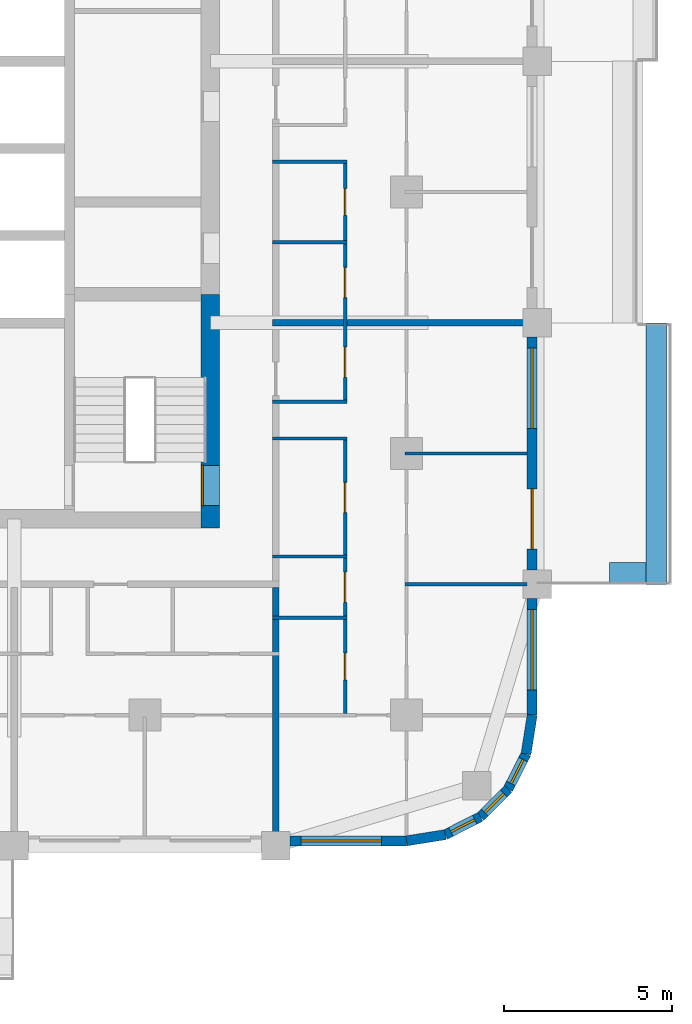
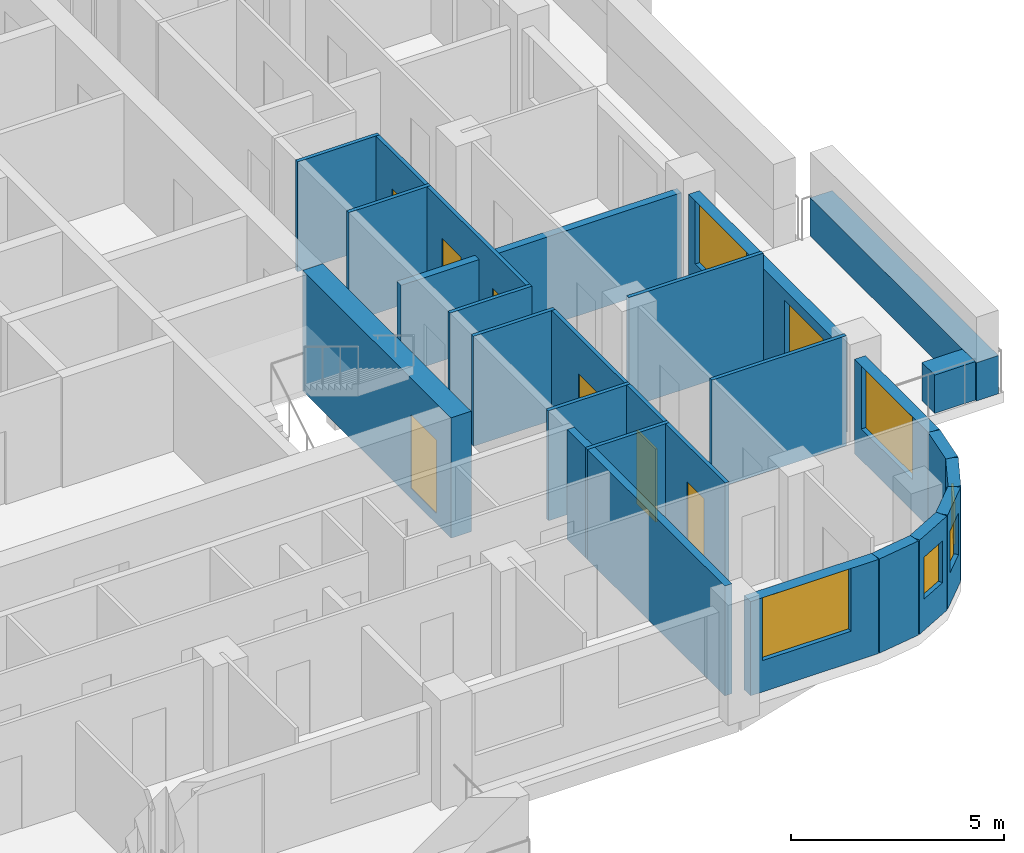
# One storey, part 6 of 14: 23 walls, 8 doors, 6 windows, 14 openings.
"""IFC4 building model written with IfcOpenShell, lengths in metres."""

from ifc_helpers import new_model, si_unit, direction, frame, frame_2d, origin, place, context, subcontext, project, spatial, rectangle, extrude, material, layer, layer_set, type_object, element, fill, save


model = new_model("IFC4")

# Units and contexts
model_context = context("Model", 3, precision=1e-05, world=origin(), true_north=direction((0.0, 1.0)))
body_context = subcontext(model_context, "Body", "Model", "MODEL_VIEW")
ifc_project = project(units=[si_unit("LENGTHUNIT", "METRE"), si_unit("AREAUNIT", "SQUARE_METRE"), si_unit("VOLUMEUNIT", "CUBIC_METRE"), si_unit("PLANEANGLEUNIT", "RADIAN"), si_unit("MASSUNIT", "GRAM", prefix="KILO")], contexts=[model_context])

# Site, building, storey
site_placement = place(None, origin())
site = spatial("IfcSite", under=ifc_project, at=site_placement, CompositionType="ELEMENT")
building_placement = place(site_placement, origin())
building = spatial("IfcBuilding", under=site, at=building_placement, Name="Ludao Terraces", CompositionType="ELEMENT")
storey_placement = place(building_placement, frame((0.0, 0.0, 99.89990234375)))
storey = spatial("IfcBuildingStorey", under=building, at=storey_placement, Name="L27", CompositionType="ELEMENT", Elevation=99.89990234375)

# Wall, opening, door
ifc_material_1 = material(Name="Concrete C60", Category="concrete")
ifc_layer_1 = layer(ifc_material_1, 0.550048828125)
ifc_layer_set_1 = layer_set([ifc_layer_1], Name="Core wall 550 C60")
wall_type_1 = type_object("IfcWallType", Name="Core wall 550 C60", PredefinedType="SOLIDWALL", material=ifc_layer_set_1)
wall_1_placement = place(storey_placement, frame((94.75, 54.97509765625, -0.2998046875), z_axis=(0.0, 0.0, 1.0), x_axis=(0.0, 1.0, 0.0)))
wall_1 = element("IfcWall", 1, at=wall_1_placement, inside=storey, type_object=wall_type_1, Name="Core wall L27 outer-E-S3", PredefinedType="SOLIDWALL", context=body_context, shape_type="SweptSolid", body=[
    extrude(rectangle(XDim=6.974853515625, YDim=0.550048828125, at=frame_2d((3.4873046875, 0.0))), origin(), (0.0, 0.0, 1.0), 3.449951171875),
])
opening_1_placement = place(wall_1_placement, frame((0.675048828125, 0.0, 0.300048828125)))
opening_1 = element("IfcOpeningElement", 2, at=opening_1_placement, cuts=wall_1, Name="Opening R08-034", PredefinedType="OPENING", context=body_context, shape_type="SweptSolid", body=[
    extrude(rectangle(XDim=1.199951171875, YDim=2.10009765625, at=frame_2d((0.60009765625, 1.050048828125))), frame((0.0, 0.28515625, 0.0), z_axis=(0.0, -1.0, 0.0), x_axis=(1.0, 0.0, 0.0)), (0.0, 0.0, 1.0), 0.570068359375),
])
ifc_material_2 = material(Name="Steel Q235", Category="steel")
door_type_1 = type_object("IfcDoorType", Name="INT Stair door 1200", OperationType="DOUBLE_DOOR_SINGLE_SWING", PredefinedType="DOOR", material=ifc_material_2)
door_1_placement = place(opening_1_placement, origin())
door_1 = element("IfcDoor", 3, at=door_1_placement, inside=storey, type_object=door_type_1, Name="DOOR 034", OperationType="DOUBLE_DOOR_SINGLE_SWING", OverallHeight=2.10009765625, OverallWidth=1.199951171875, PredefinedType="DOOR", context=body_context, shape_type="SweptSolid", body=[
    extrude(rectangle(XDim=1.199951171875, YDim=2.10009765625, at=frame_2d((0.60009765625, 1.050048828125))), frame((0.0, 0.26025390625, 0.0), z_axis=(0.0, -1.0, 0.0), x_axis=(1.0, 0.0, 0.0)), (0.0, 0.0, 1.0), 0.050048828125),
])
fill(opening_1, door_1)

# Walls
ifc_material_3 = material(Name="Concrete C40", Category="concrete")
ifc_layer_2 = layer(ifc_material_3, 0.60009765625)
ifc_layer_set_2 = layer_set([ifc_layer_2], Name="ENV Planter trough 600")
wall_type_2 = type_object("IfcWallType", Name="ENV Planter trough 600", PredefinedType="USERDEFINED", material=ifc_layer_set_2)
wall_2_placement = place(storey_placement, frame((108.050048828125, 53.300048828125, 0.0), z_axis=(0.0, 0.0, 1.0), x_axis=(0.0, 1.0, 0.0)))
element("IfcWall", 4, at=wall_2_placement, inside=storey, type_object=wall_type_2, Name="PL-L27-E1", ObjectType="PLANTER", PredefinedType="USERDEFINED", context=body_context, shape_type="SweptSolid", body=[
    extrude(rectangle(XDim=7.800048828125, YDim=0.60009765625, at=frame_2d((3.89990234375, 0.0))), origin(), (0.0, 0.0, 1.0), 1.10009765625),
])
wall_3_placement = place(storey_placement, frame((107.75, 53.64990234375, 0.0), z_axis=(0.0, 0.0, 1.0), x_axis=(-1.0, 0.0, 0.0)))
element("IfcWall", 5, at=wall_3_placement, inside=storey, type_object=wall_type_2, Name="PL-L27-E1-SA", ObjectType="PLANTER", PredefinedType="USERDEFINED", context=body_context, shape_type="SweptSolid", body=[
    extrude(rectangle(XDim=1.10009765625, YDim=0.60009765625, at=frame_2d((0.550048828125, 0.0))), origin(), (0.0, 0.0, 1.0), 1.10009765625),
])

# Wall, opening, window
ifc_material_4 = material(Name="Granite cladding", Category="masonry")
ifc_layer_3 = layer(ifc_material_4, 0.0400390625, Category="stone")
ifc_material_5 = material(Name="Mineral wool")
ifc_layer_4 = layer(ifc_material_5, 0.06005859375)
ifc_layer_5 = layer(ifc_material_3, 0.199951171875, Category="concrete")
ifc_layer_set_3 = layer_set([ifc_layer_3, ifc_layer_4, ifc_layer_5], Name="ENV Stone-clad wall 300")
wall_type_3 = type_object("IfcWallType", Name="ENV Stone-clad wall 300", PredefinedType="SOLIDWALL", material=ifc_layer_set_3)
wall_4_placement = place(storey_placement, frame((97.125, 45.64990234375, 0.0), z_axis=(0.0, 0.0, 1.0), x_axis=(1.0, 0.0, 0.0)))
wall_4 = element("IfcWall", 6, at=wall_4_placement, inside=storey, type_object=wall_type_3, Name="EW-L27-S5", PredefinedType="SOLIDWALL", context=body_context, shape_type="SweptSolid", body=[
    extrude(rectangle(XDim=3.47509765625, YDim=0.300048828125, at=frame_2d((1.737548828125, 0.0))), origin(), (0.0, 0.0, 1.0), 2.7001953125),
])
opening_2_placement = place(wall_4_placement, frame((0.324951171875, 0.0, 0.89990234375)))
opening_2 = element("IfcOpeningElement", 7, at=opening_2_placement, cuts=wall_4, Name="Opening W1", PredefinedType="OPENING", context=body_context, shape_type="SweptSolid", body=[
    extrude(rectangle(XDim=2.39990234375, YDim=1.800048828125, at=frame_2d((1.199951171875, 0.89990234375))), frame((0.0, 0.16015625, 0.0), z_axis=(0.0, -1.0, 0.0), x_axis=(1.0, 0.0, 0.0)), (0.0, 0.0, 1.0), 0.320068359375),
])
ifc_material_6 = material(Name="Clear glass in aluminium frame", Category="aluminium")
ifc_layer_6 = layer(ifc_material_6, 0.06005859375)
ifc_layer_set_4 = layer_set([ifc_layer_6], Name="ENV Window W1 2400x1800")
window_type_1 = type_object("IfcWindowType", Name="ENV Window W1 2400x1800", PartitioningType="DOUBLE_PANEL_VERTICAL", PredefinedType="WINDOW", material=ifc_layer_set_4)
window_1_placement = place(opening_2_placement, origin())
window_1 = element("IfcWindow", 8, at=window_1_placement, inside=storey, type_object=window_type_1, Name="W-L27-S5-1", OverallHeight=1.800048828125, OverallWidth=2.39990234375, PartitioningType="DOUBLE_PANEL_VERTICAL", PredefinedType="WINDOW", context=body_context, shape_type="SweptSolid", body=[
    extrude(rectangle(XDim=2.39990234375, YDim=1.800048828125, at=frame_2d((1.199951171875, 0.89990234375))), frame((0.0, 0.030029296875, 0.0), z_axis=(0.0, -1.0, 0.0), x_axis=(1.0, 0.0, 0.0)), (0.0, 0.0, 1.0), 0.06005859375),
])
fill(opening_2, window_1)

wall_5_placement = place(storey_placement, frame((104.35009765625, 49.39990234375, 0.0), z_axis=(0.0, 0.0, 1.0), x_axis=(0.0, 1.0, 0.0)))
wall_5 = element("IfcWall", 9, at=wall_5_placement, inside=storey, type_object=wall_type_3, Name="EW-L27-E1", PredefinedType="SOLIDWALL", context=body_context, shape_type="SweptSolid", body=[
    extrude(rectangle(XDim=3.47509765625, YDim=0.300048828125, at=frame_2d((1.737548828125, 0.0))), origin(), (0.0, 0.0, 1.0), 2.7001953125),
])
opening_3_placement = place(wall_5_placement, frame((0.75, 0.0, 0.89990234375)))
opening_3 = element("IfcOpeningElement", 10, at=opening_3_placement, cuts=wall_5, Name="Opening W1", PredefinedType="OPENING", context=body_context, shape_type="SweptSolid", body=[
    extrude(rectangle(XDim=2.39990234375, YDim=1.800048828125, at=frame_2d((1.199951171875, 0.89990234375))), frame((0.0, 0.16015625, 0.0), z_axis=(0.0, -1.0, 0.0), x_axis=(1.0, 0.0, 0.0)), (0.0, 0.0, 1.0), 0.320068359375),
])
window_2_placement = place(opening_3_placement, origin())
window_2 = element("IfcWindow", 11, at=window_2_placement, inside=storey, type_object=window_type_1, Name="W-L27-E1-1", OverallHeight=1.800048828125, OverallWidth=2.39990234375, PartitioningType="DOUBLE_PANEL_VERTICAL", PredefinedType="WINDOW", context=body_context, shape_type="SweptSolid", body=[
    extrude(rectangle(XDim=2.39990234375, YDim=1.800048828125, at=frame_2d((1.199951171875, 0.89990234375))), frame((0.0, 0.030029296875, 0.0), z_axis=(0.0, -1.0, 0.0), x_axis=(1.0, 0.0, 0.0)), (0.0, 0.0, 1.0), 0.06005859375),
])
fill(opening_3, window_2)

# Wall, openings, door, window
wall_6_placement = place(storey_placement, frame((104.35009765625, 53.72509765625, 0.0), z_axis=(0.0, 0.0, 1.0), x_axis=(0.0, 1.0, 0.0)))
wall_6 = element("IfcWall", 12, at=wall_6_placement, inside=storey, type_object=wall_type_3, Name="EW-L27-E2", PredefinedType="SOLIDWALL", context=body_context, shape_type="SweptSolid", body=[
    extrude(rectangle(XDim=6.949951171875, YDim=0.300048828125, at=frame_2d((3.47509765625, 0.0))), origin(), (0.0, 0.0, 1.0), 2.7001953125),
])
opening_4_placement = place(wall_6_placement, frame((0.625, 0.0, 0.0)))
opening_4 = element("IfcOpeningElement", 13, at=opening_4_placement, cuts=wall_6, Name="Opening BD", PredefinedType="OPENING", context=body_context, shape_type="SweptSolid", body=[
    extrude(rectangle(XDim=1.800048828125, YDim=2.39990234375, at=frame_2d((0.89990234375, 1.199951171875))), frame((0.0, 0.16015625, 0.0), z_axis=(0.0, -1.0, 0.0), x_axis=(1.0, 0.0, 0.0)), (0.0, 0.0, 1.0), 0.320068359375),
])
opening_5_placement = place(wall_6_placement, frame((4.22509765625, 0.0, 0.89990234375)))
opening_5 = element("IfcOpeningElement", 14, at=opening_5_placement, cuts=wall_6, Name="Opening W1", PredefinedType="OPENING", context=body_context, shape_type="SweptSolid", body=[
    extrude(rectangle(XDim=2.39990234375, YDim=1.800048828125, at=frame_2d((1.199951171875, 0.89990234375))), frame((0.0, 0.16015625, 0.0), z_axis=(0.0, -1.0, 0.0), x_axis=(1.0, 0.0, 0.0)), (0.0, 0.0, 1.0), 0.320068359375),
])
ifc_material_7 = material(Name="Aluminium glazed door", Category="aluminium")
ifc_layer_7 = layer(ifc_material_7, 0.06005859375)
ifc_layer_set_5 = layer_set([ifc_layer_7], Name="ENV Balcony door BD 1800x2400")
door_type_2 = type_object("IfcDoorType", Name="ENV Balcony door BD 1800x2400", OperationType="DOUBLE_DOOR_SINGLE_SWING", PredefinedType="DOOR", material=ifc_layer_set_5)
door_2_placement = place(opening_4_placement, origin())
door_2 = element("IfcDoor", 15, at=door_2_placement, inside=storey, type_object=door_type_2, Name="BD-L27-E2-1", OperationType="DOUBLE_DOOR_SINGLE_SWING", OverallHeight=2.39990234375, OverallWidth=1.800048828125, PredefinedType="DOOR", context=body_context, shape_type="SweptSolid", body=[
    extrude(rectangle(XDim=1.800048828125, YDim=2.39990234375, at=frame_2d((0.89990234375, 1.199951171875))), frame((0.0, 0.02490234375, 0.0), z_axis=(0.0, -1.0, 0.0), x_axis=(1.0, 0.0, 0.0)), (0.0, 0.0, 1.0), 0.050048828125),
])
fill(opening_4, door_2)
window_3_placement = place(opening_5_placement, origin())
window_3 = element("IfcWindow", 16, at=window_3_placement, inside=storey, type_object=window_type_1, Name="W-L27-E2-2", OverallHeight=1.800048828125, OverallWidth=2.39990234375, PartitioningType="DOUBLE_PANEL_VERTICAL", PredefinedType="WINDOW", context=body_context, shape_type="SweptSolid", body=[
    extrude(rectangle(XDim=2.39990234375, YDim=1.800048828125, at=frame_2d((1.199951171875, 0.89990234375))), frame((0.0, 0.030029296875, 0.0), z_axis=(0.0, -1.0, 0.0), x_axis=(1.0, 0.0, 0.0)), (0.0, 0.0, 1.0), 0.06005859375),
])
fill(opening_5, window_3)

# Wall
wall_7_placement = place(storey_placement, frame((100.60009765625, 45.64990234375, 0.0), z_axis=(0.0, 0.0, 1.0), x_axis=(0.987678452879, 0.156496880861, 0.0)))
element("IfcWall", 17, at=wall_7_placement, inside=storey, type_object=wall_type_3, Name="EW-L27-SE1", PredefinedType="SOLIDWALL", context=body_context, shape_type="SweptSolid", body=[
    extrude(rectangle(XDim=1.173095703125, YDim=0.300048828125, at=frame_2d((0.58642578125, 0.0))), origin(), (0.0, 0.0, 1.0), 2.7001953125),
])

# Wall, opening, window
wall_8_placement = place(storey_placement, frame((101.7587890625, 45.83349609375, 0.0), z_axis=(0.0, 0.0, 1.0), x_axis=(0.890988677504, 0.454025524128, 0.0)))
wall_8 = element("IfcWall", 18, at=wall_8_placement, inside=storey, type_object=wall_type_3, Name="EW-L27-SE2", PredefinedType="SOLIDWALL", context=body_context, shape_type="SweptSolid", body=[
    extrude(rectangle(XDim=1.17333984375, YDim=0.300048828125, at=frame_2d((0.586669921875, 0.0))), origin(), (0.0, 0.0, 1.0), 2.7001953125),
])
opening_6_placement = place(wall_8_placement, frame((0.1865234375, 0.0, 0.89990234375)))
opening_6 = element("IfcOpeningElement", 19, at=opening_6_placement, cuts=wall_8, Name="Opening W3", PredefinedType="OPENING", context=body_context, shape_type="SweptSolid", body=[
    extrude(rectangle(XDim=0.800048828125, YDim=1.199951171875, at=frame_2d((0.39990234375, 0.60009765625))), frame((0.0, 0.16015625, 0.0), z_axis=(0.0, -1.0, 0.0), x_axis=(1.0, 0.0, 0.0)), (0.0, 0.0, 1.0), 0.320068359375),
])
ifc_layer_8 = layer(ifc_material_6, 0.06005859375)
ifc_layer_set_6 = layer_set([ifc_layer_8], Name="ENV Window W3 800x1200")
window_type_2 = type_object("IfcWindowType", Name="ENV Window W3 800x1200", PartitioningType="SINGLE_PANEL", PredefinedType="WINDOW", material=ifc_layer_set_6)
window_4_placement = place(opening_6_placement, origin())
window_4 = element("IfcWindow", 20, at=window_4_placement, inside=storey, type_object=window_type_2, Name="W-L27-SE2", OverallHeight=1.199951171875, OverallWidth=0.800048828125, PartitioningType="SINGLE_PANEL", PredefinedType="WINDOW", context=body_context, shape_type="SweptSolid", body=[
    extrude(rectangle(XDim=0.800048828125, YDim=1.199951171875, at=frame_2d((0.39990234375, 0.60009765625))), frame((0.0, 0.030029296875, 0.0), z_axis=(0.0, -1.0, 0.0), x_axis=(1.0, 0.0, 0.0)), (0.0, 0.0, 1.0), 0.06005859375),
])
fill(opening_6, window_4)

wall_9_placement = place(storey_placement, frame((102.80419921875, 46.3662109375, 0.0), z_axis=(0.0, 0.0, 1.0), x_axis=(0.707106781187, 0.707106781187, 0.0)))
wall_9 = element("IfcWall", 21, at=wall_9_placement, inside=storey, type_object=wall_type_3, Name="EW-L27-SE3", PredefinedType="SOLIDWALL", context=body_context, shape_type="SweptSolid", body=[
    extrude(rectangle(XDim=1.173095703125, YDim=0.300048828125, at=frame_2d((0.58642578125, 0.0))), origin(), (0.0, 0.0, 1.0), 2.7001953125),
])
opening_7_placement = place(wall_9_placement, frame((0.1865234375, 0.0, 0.89990234375)))
opening_7 = element("IfcOpeningElement", 22, at=opening_7_placement, cuts=wall_9, Name="Opening W3", PredefinedType="OPENING", context=body_context, shape_type="SweptSolid", body=[
    extrude(rectangle(XDim=0.800048828125, YDim=1.199951171875, at=frame_2d((0.39990234375, 0.60009765625))), frame((0.0, 0.16015625, 0.0), z_axis=(0.0, -1.0, 0.0), x_axis=(1.0, 0.0, 0.0)), (0.0, 0.0, 1.0), 0.320068359375),
])
window_5_placement = place(opening_7_placement, origin())
window_5 = element("IfcWindow", 23, at=window_5_placement, inside=storey, type_object=window_type_2, Name="W-L27-SE3", OverallHeight=1.199951171875, OverallWidth=0.800048828125, PartitioningType="SINGLE_PANEL", PredefinedType="WINDOW", context=body_context, shape_type="SweptSolid", body=[
    extrude(rectangle(XDim=0.800048828125, YDim=1.199951171875, at=frame_2d((0.39990234375, 0.60009765625))), frame((0.0, 0.030029296875, 0.0), z_axis=(0.0, -1.0, 0.0), x_axis=(1.0, 0.0, 0.0)), (0.0, 0.0, 1.0), 0.06005859375),
])
fill(opening_7, window_5)

wall_10_placement = place(storey_placement, frame((103.6337890625, 47.19580078125, 0.0), z_axis=(0.0, 0.0, 1.0), x_axis=(0.454025524128, 0.890988677504, 0.0)))
wall_10 = element("IfcWall", 24, at=wall_10_placement, inside=storey, type_object=wall_type_3, Name="EW-L27-SE4", PredefinedType="SOLIDWALL", context=body_context, shape_type="SweptSolid", body=[
    extrude(rectangle(XDim=1.17333984375, YDim=0.300048828125, at=frame_2d((0.586669921875, 0.0))), origin(), (0.0, 0.0, 1.0), 2.7001953125),
])
opening_8_placement = place(wall_10_placement, frame((0.1865234375, 0.0, 0.89990234375)))
opening_8 = element("IfcOpeningElement", 25, at=opening_8_placement, cuts=wall_10, Name="Opening W3", PredefinedType="OPENING", context=body_context, shape_type="SweptSolid", body=[
    extrude(rectangle(XDim=0.800048828125, YDim=1.199951171875, at=frame_2d((0.39990234375, 0.60009765625))), frame((0.0, 0.16015625, 0.0), z_axis=(0.0, -1.0, 0.0), x_axis=(1.0, 0.0, 0.0)), (0.0, 0.0, 1.0), 0.320068359375),
])
window_6_placement = place(opening_8_placement, origin())
window_6 = element("IfcWindow", 26, at=window_6_placement, inside=storey, type_object=window_type_2, Name="W-L27-SE4", OverallHeight=1.199951171875, OverallWidth=0.800048828125, PartitioningType="SINGLE_PANEL", PredefinedType="WINDOW", context=body_context, shape_type="SweptSolid", body=[
    extrude(rectangle(XDim=0.800048828125, YDim=1.199951171875, at=frame_2d((0.39990234375, 0.60009765625))), frame((0.0, 0.030029296875, 0.0), z_axis=(0.0, -1.0, 0.0), x_axis=(1.0, 0.0, 0.0)), (0.0, 0.0, 1.0), 0.06005859375),
])
fill(opening_8, window_6)

# Walls
wall_11_placement = place(storey_placement, frame((104.16650390625, 48.2412109375, 0.0), z_axis=(0.0, 0.0, 1.0), x_axis=(0.156496880861, 0.987678452879, 0.0)))
element("IfcWall", 27, at=wall_11_placement, inside=storey, type_object=wall_type_3, Name="EW-L27-SE5", PredefinedType="SOLIDWALL", context=body_context, shape_type="SweptSolid", body=[
    extrude(rectangle(XDim=1.173095703125, YDim=0.300048828125, at=frame_2d((0.58642578125, 0.0))), origin(), (0.0, 0.0, 1.0), 2.7001953125),
])
ifc_material_8 = material(Name="Gypsum plasterboard", Category="gypsum")
ifc_layer_9 = layer(ifc_material_8, 0.012451171875, Category="gypsum")
ifc_layer_10 = layer(ifc_material_5, 0.06005859375, Name="insulation")
ifc_layer_11 = layer(ifc_material_2, 0.014892578125, Name="stud")
ifc_layer_12 = layer(ifc_material_8, 0.012451171875, Category="gypsum")
ifc_layer_set_7 = layer_set([ifc_layer_9, ifc_layer_10, ifc_layer_11, ifc_layer_12], Name="INT Partition 100")
wall_type_4 = type_object("IfcWallType", Name="INT Partition 100", PredefinedType="PARTITIONING", material=ifc_layer_set_7)
wall_12_placement = place(storey_placement, frame((96.60009765625, 52.300048828125, 0.0), z_axis=(0.0, 0.0, 1.0), x_axis=(1.0, 0.0, 0.0)))
element("IfcWall", 28, at=wall_12_placement, inside=storey, type_object=wall_type_4, Name="PW-L27-PW005", PredefinedType="PARTITIONING", context=body_context, shape_type="SweptSolid", body=[
    extrude(rectangle(XDim=2.219970703125, YDim=0.10009765625, at=frame_2d((1.10986328125, 0.0))), origin(), (0.0, 0.0, 1.0), 3.150146484375),
])
wall_13_placement = place(storey_placement, frame((100.550048828125, 53.300048828125, 0.0), z_axis=(0.0, 0.0, 1.0), x_axis=(1.0, 0.0, 0.0)))
element("IfcWall", 29, at=wall_13_placement, inside=storey, type_object=wall_type_4, Name="PW-L27-PW008", PredefinedType="PARTITIONING", context=body_context, shape_type="SweptSolid", body=[
    extrude(rectangle(XDim=3.650146484375, YDim=0.10009765625, at=frame_2d((1.8251953125, 0.0))), origin(), (0.0, 0.0, 1.0), 3.150146484375),
])
wall_14_placement = place(storey_placement, frame((96.60009765625, 54.1298828125, 0.0), z_axis=(0.0, 0.0, 1.0), x_axis=(1.0, 0.0, 0.0)))
element("IfcWall", 30, at=wall_14_placement, inside=storey, type_object=wall_type_4, Name="PW-L27-PW010", PredefinedType="PARTITIONING", context=body_context, shape_type="SweptSolid", body=[
    extrude(rectangle(XDim=2.219970703125, YDim=0.10009765625, at=frame_2d((1.10986328125, 0.0))), origin(), (0.0, 0.0, 1.0), 3.150146484375),
])
wall_15_placement = place(storey_placement, frame((100.550048828125, 57.199951171875, 0.0), z_axis=(0.0, 0.0, 1.0), x_axis=(1.0, 0.0, 0.0)))
element("IfcWall", 31, at=wall_15_placement, inside=storey, type_object=wall_type_4, Name="PW-L27-PW013", PredefinedType="PARTITIONING", context=body_context, shape_type="SweptSolid", body=[
    extrude(rectangle(XDim=3.650146484375, YDim=0.10009765625, at=frame_2d((1.8251953125, 0.0))), origin(), (0.0, 0.0, 1.0), 3.150146484375),
])
for number, where, z_axis, x_axis, name in (
    (32, (96.60009765625, 57.64990234375, 0.0), (0.0, 0.0, 1.0), (1.0, 0.0, 0.0), "PW-L27-PW014"),
    (33, (96.60009765625, 58.75, 0.0), (0.0, 0.0, 1.0), (1.0, 0.0, 0.0), "PW-L27-PW016"),
    (34, (96.60009765625, 63.5, 0.0), (0.0, 0.0, 1.0), (1.0, 0.0, 0.0), "PW-L27-PW022"),
    (35, (96.60009765625, 65.89990234375, 0.0), (0.0, 0.0, 1.0), (1.0, 0.0, 0.0), "PW-L27-PW025"),
):
    element("IfcWall", number, at=place(storey_placement, frame(where, z_axis=z_axis, x_axis=x_axis)), inside=storey, type_object=wall_type_4, Name=name, PredefinedType="PARTITIONING", context=body_context, shape_type="SweptSolid", body=[
        extrude(rectangle(XDim=2.219970703125, YDim=0.10009765625, at=frame_2d((1.10986328125, 0.0))), origin(), (0.0, 0.0, 1.0), 3.150146484375),
    ])

# Wall, openings, doors
wall_16_placement = place(storey_placement, frame((98.77001953125, 49.4501953125, 0.0), z_axis=(0.0, 0.0, 1.0), x_axis=(0.0, 1.0, 0.0)))
wall_16 = element("IfcWall", 36, at=wall_16_placement, inside=storey, type_object=wall_type_4, Name="PW-L27-PW073", PredefinedType="PARTITIONING", context=body_context, shape_type="SweptSolid", body=[
    extrude(rectangle(XDim=8.14990234375, YDim=0.10009765625, at=frame_2d((4.074951171875, 0.0))), origin(), (0.0, 0.0, 1.0), 3.150146484375),
])
opening_9_placement = place(wall_16_placement, frame((1.0, 0.0, 0.0)))
opening_9 = element("IfcOpeningElement", 37, at=opening_9_placement, cuts=wall_16, Name="Opening R08-012", PredefinedType="OPENING", context=body_context, shape_type="SweptSolid", body=[
    extrude(rectangle(XDim=0.800048828125, YDim=2.10009765625, at=frame_2d((0.39990234375, 1.050048828125))), frame((0.0, 0.06005859375, 0.0), z_axis=(0.0, -1.0, 0.0), x_axis=(1.0, 0.0, 0.0)), (0.0, 0.0, 1.0), 0.1201171875),
])
opening_10_placement = place(wall_16_placement, frame((3.31494140625, 0.0, 0.0)))
opening_10 = element("IfcOpeningElement", 38, at=opening_10_placement, cuts=wall_16, Name="Opening R08-025", PredefinedType="OPENING", context=body_context, shape_type="SweptSolid", body=[
    extrude(rectangle(XDim=0.89990234375, YDim=2.10009765625, at=frame_2d((0.449951171875, 1.050048828125))), frame((0.0, 0.06005859375, 0.0), z_axis=(0.0, -1.0, 0.0), x_axis=(1.0, 0.0, 0.0)), (0.0, 0.0, 1.0), 0.1201171875),
])
opening_11_placement = place(wall_16_placement, frame((5.989990234375, 0.0, 0.0)))
opening_11 = element("IfcOpeningElement", 39, at=opening_11_placement, cuts=wall_16, Name="Opening R08-032", PredefinedType="OPENING", context=body_context, shape_type="SweptSolid", body=[
    extrude(rectangle(XDim=0.89990234375, YDim=2.10009765625, at=frame_2d((0.449951171875, 1.050048828125))), frame((0.0, 0.06005859375, 0.0), z_axis=(0.0, -1.0, 0.0), x_axis=(1.0, 0.0, 0.0)), (0.0, 0.0, 1.0), 0.1201171875),
])
ifc_material_9 = material(Name="Timber door leaf", Category="wood")
door_type_3 = type_object("IfcDoorType", Name="INT Bathroom door 900", OperationType="SINGLE_SWING_LEFT", PredefinedType="DOOR", material=ifc_material_9)
door_3_placement = place(opening_10_placement, origin())
door_3 = element("IfcDoor", 40, at=door_3_placement, inside=storey, type_object=door_type_3, Name="DOOR 025", OperationType="SINGLE_SWING_LEFT", OverallHeight=2.10009765625, OverallWidth=0.89990234375, PredefinedType="DOOR", context=body_context, shape_type="SweptSolid", body=[
    extrude(rectangle(XDim=0.89990234375, YDim=2.10009765625, at=frame_2d((0.449951171875, 1.050048828125))), frame((0.0, 0.02490234375, 0.0), z_axis=(0.0, -1.0, 0.0), x_axis=(1.0, 0.0, 0.0)), (0.0, 0.0, 1.0), 0.050048828125),
])
fill(opening_10, door_3)
door_type_4 = type_object("IfcDoorType", Name="INT Room door 900", OperationType="SINGLE_SWING_LEFT", PredefinedType="DOOR", material=ifc_material_9)
door_4_placement = place(opening_11_placement, origin())
door_4 = element("IfcDoor", 41, at=door_4_placement, inside=storey, type_object=door_type_4, Name="DOOR 032", OperationType="SINGLE_SWING_LEFT", OverallHeight=2.10009765625, OverallWidth=0.89990234375, PredefinedType="DOOR", context=body_context, shape_type="SweptSolid", body=[
    extrude(rectangle(XDim=0.89990234375, YDim=2.10009765625, at=frame_2d((0.449951171875, 1.050048828125))), frame((0.0, 0.02490234375, 0.0), z_axis=(0.0, -1.0, 0.0), x_axis=(1.0, 0.0, 0.0)), (0.0, 0.0, 1.0), 0.050048828125),
])
fill(opening_11, door_4)
door_type_5 = type_object("IfcDoorType", Name="INT Store door 800", OperationType="SINGLE_SWING_LEFT", PredefinedType="DOOR", material=ifc_material_9)
door_5_placement = place(opening_9_placement, origin())
door_5 = element("IfcDoor", 42, at=door_5_placement, inside=storey, type_object=door_type_5, Name="DOOR 012", OperationType="SINGLE_SWING_RIGHT", OverallHeight=2.10009765625, OverallWidth=0.800048828125, PredefinedType="DOOR", context=body_context, shape_type="SweptSolid", body=[
    extrude(rectangle(XDim=0.800048828125, YDim=2.10009765625, at=frame_2d((0.39990234375, 1.050048828125))), frame((0.0, 0.02490234375, 0.0), z_axis=(0.0, -1.0, 0.0), x_axis=(1.0, 0.0, 0.0)), (0.0, 0.0, 1.0), 0.050048828125),
])
fill(opening_9, door_5)

wall_17_placement = place(storey_placement, frame((98.77001953125, 58.800048828125, 0.0), z_axis=(0.0, 0.0, 1.0), x_axis=(0.0, 1.0, 0.0)))
wall_17 = element("IfcWall", 43, at=wall_17_placement, inside=storey, type_object=wall_type_4, Name="PW-L27-PW074", PredefinedType="PARTITIONING", context=body_context, shape_type="SweptSolid", body=[
    extrude(rectangle(XDim=7.050048828125, YDim=0.10009765625, at=frame_2d((3.52490234375, 0.0))), origin(), (0.0, 0.0, 1.0), 3.150146484375),
])
opening_12_placement = place(wall_17_placement, frame((0.675048828125, 0.0, 0.0)))
opening_12 = element("IfcOpeningElement", 44, at=opening_12_placement, cuts=wall_17, Name="Opening R08-040", PredefinedType="OPENING", context=body_context, shape_type="SweptSolid", body=[
    extrude(rectangle(XDim=0.89990234375, YDim=2.10009765625, at=frame_2d((0.449951171875, 1.050048828125))), frame((0.0, 0.06005859375, 0.0), z_axis=(0.0, -1.0, 0.0), x_axis=(1.0, 0.0, 0.0)), (0.0, 0.0, 1.0), 0.1201171875),
])
opening_13_placement = place(wall_17_placement, frame((3.050048828125, 0.0, 0.0)))
opening_13 = element("IfcOpeningElement", 45, at=opening_13_placement, cuts=wall_17, Name="Opening R08-044", PredefinedType="OPENING", context=body_context, shape_type="SweptSolid", body=[
    extrude(rectangle(XDim=0.89990234375, YDim=2.10009765625, at=frame_2d((0.449951171875, 1.050048828125))), frame((0.0, 0.06005859375, 0.0), z_axis=(0.0, -1.0, 0.0), x_axis=(1.0, 0.0, 0.0)), (0.0, 0.0, 1.0), 0.1201171875),
])
opening_14_placement = place(wall_17_placement, frame((5.5, 0.0, 0.0)))
opening_14 = element("IfcOpeningElement", 46, at=opening_14_placement, cuts=wall_17, Name="Opening R08-051", PredefinedType="OPENING", context=body_context, shape_type="SweptSolid", body=[
    extrude(rectangle(XDim=0.800048828125, YDim=2.10009765625, at=frame_2d((0.39990234375, 1.050048828125))), frame((0.0, 0.06005859375, 0.0), z_axis=(0.0, -1.0, 0.0), x_axis=(1.0, 0.0, 0.0)), (0.0, 0.0, 1.0), 0.1201171875),
])
door_6_placement = place(opening_12_placement, origin())
door_6 = element("IfcDoor", 47, at=door_6_placement, inside=storey, type_object=door_type_3, Name="DOOR 040", OperationType="SINGLE_SWING_RIGHT", OverallHeight=2.10009765625, OverallWidth=0.89990234375, PredefinedType="DOOR", context=body_context, shape_type="SweptSolid", body=[
    extrude(rectangle(XDim=0.89990234375, YDim=2.10009765625, at=frame_2d((0.449951171875, 1.050048828125))), frame((0.0, 0.02490234375, 0.0), z_axis=(0.0, -1.0, 0.0), x_axis=(1.0, 0.0, 0.0)), (0.0, 0.0, 1.0), 0.050048828125),
])
fill(opening_12, door_6)
door_7_placement = place(opening_13_placement, origin())
door_7 = element("IfcDoor", 48, at=door_7_placement, inside=storey, type_object=door_type_3, Name="DOOR 044", OperationType="SINGLE_SWING_LEFT", OverallHeight=2.10009765625, OverallWidth=0.89990234375, PredefinedType="DOOR", context=body_context, shape_type="SweptSolid", body=[
    extrude(rectangle(XDim=0.89990234375, YDim=2.10009765625, at=frame_2d((0.449951171875, 1.050048828125))), frame((0.0, 0.02490234375, 0.0), z_axis=(0.0, -1.0, 0.0), x_axis=(1.0, 0.0, 0.0)), (0.0, 0.0, 1.0), 0.050048828125),
])
fill(opening_13, door_7)
door_8_placement = place(opening_14_placement, origin())
door_8 = element("IfcDoor", 49, at=door_8_placement, inside=storey, type_object=door_type_5, Name="DOOR 051", OperationType="SINGLE_SWING_RIGHT", OverallHeight=2.10009765625, OverallWidth=0.800048828125, PredefinedType="DOOR", context=body_context, shape_type="SweptSolid", body=[
    extrude(rectangle(XDim=0.800048828125, YDim=2.10009765625, at=frame_2d((0.39990234375, 1.050048828125))), frame((0.0, 0.02490234375, 0.0), z_axis=(0.0, -1.0, 0.0), x_axis=(1.0, 0.0, 0.0)), (0.0, 0.0, 1.0), 0.050048828125),
])
fill(opening_14, door_8)

# Walls
ifc_material_10 = material(Name="Autoclaved aerated concrete block B06 A3.5", Category="concrete")
ifc_layer_13 = layer(ifc_material_10, 0.199951171875)
ifc_layer_set_8 = layer_set([ifc_layer_13], Name="INT Party wall 200")
wall_type_5 = type_object("IfcWallType", Name="INT Party wall 200", PredefinedType="PARTITIONING", material=ifc_layer_set_8)
wall_18_placement = place(storey_placement, frame((96.60009765625, 61.10009765625, 0.0), z_axis=(0.0, 0.0, 1.0), x_axis=(1.0, 0.0, 0.0)))
element("IfcWall", 50, at=wall_18_placement, inside=storey, type_object=wall_type_5, Name="PW-L27-PW020", PredefinedType="PARTITIONING", context=body_context, shape_type="SweptSolid", body=[
    extrude(rectangle(XDim=7.60009765625, YDim=0.199951171875, at=frame_2d((3.800048828125, 0.0))), origin(), (0.0, 0.0, 1.0), 2.550048828125),
])
wall_19_placement = place(storey_placement, frame((96.699951171875, 45.800048828125, 0.0), z_axis=(0.0, 0.0, 1.0), x_axis=(0.0, 1.0, 0.0)))
element("IfcWall", 51, at=wall_19_placement, inside=storey, type_object=wall_type_5, Name="PW-L27-PW071", PredefinedType="PARTITIONING", context=body_context, shape_type="SweptSolid", body=[
    extrude(rectangle(XDim=7.400146484375, YDim=0.199951171875, at=frame_2d((3.7001953125, 0.0))), origin(), (0.0, 0.0, 1.0), 3.150146484375),
])

save(model, "model.ifc")
